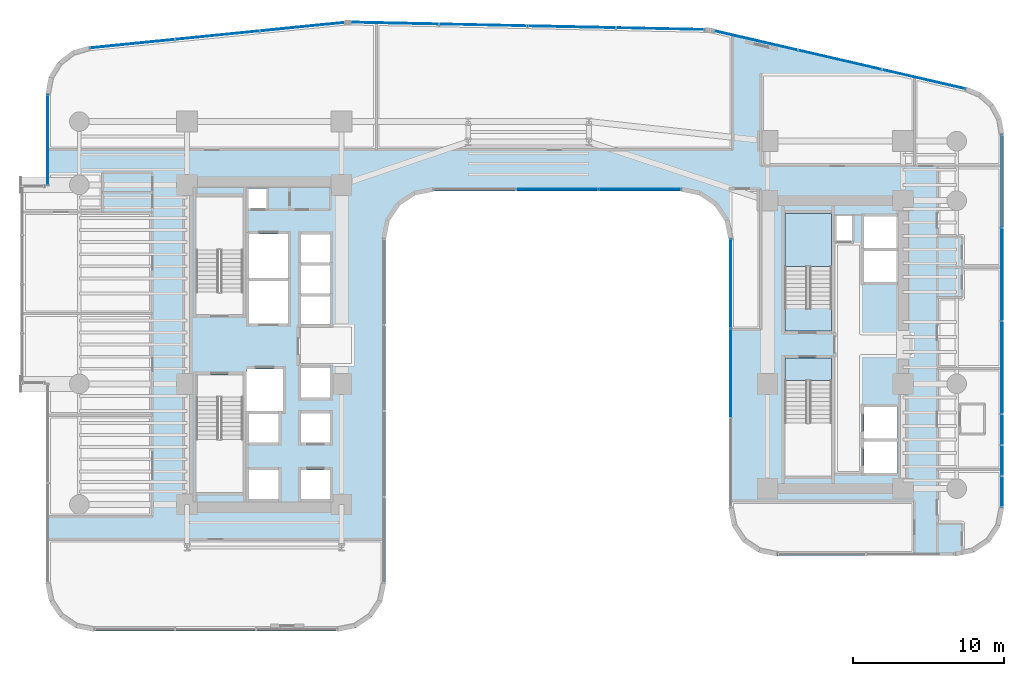
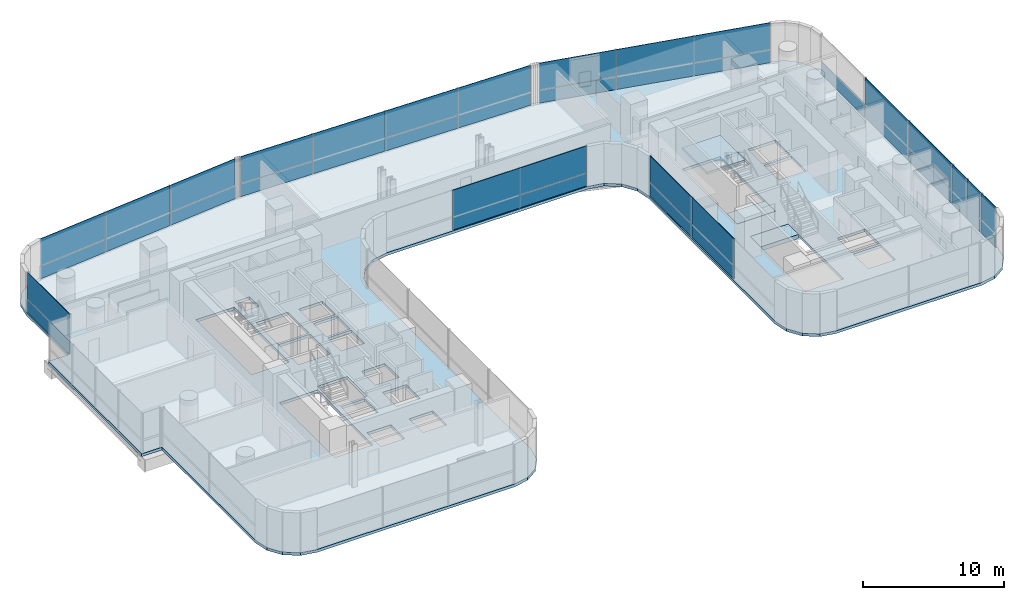
# One storey, part 28 of 39: 31 plates, 4 slabs, 8 elements without a shape of their own.
"""IFC4 building model written with IfcOpenShell, lengths in metres."""

from ifc_helpers import new_model, si_unit, direction, frame, origin, origin_2d, place, context, subcontext, project, spatial, polyline, rectangle, outline, extrude, source, transform, mapped, material, layer, layer_set, type_object, element, aggregate, save


model = new_model("IFC4")

# Units and contexts
model_context = context("Model", 3, precision=1e-05, world=origin(), true_north=direction((0.0, 1.0)))
body_context = subcontext(model_context, "Body", "Model", "MODEL_VIEW")
ifc_project = project(units=[si_unit("LENGTHUNIT", "METRE"), si_unit("AREAUNIT", "SQUARE_METRE"), si_unit("VOLUMEUNIT", "CUBIC_METRE"), si_unit("PLANEANGLEUNIT", "RADIAN"), si_unit("MASSUNIT", "GRAM", prefix="KILO")], contexts=[model_context])

# Site, building, storey
site_placement = place(None, origin())
site = spatial("IfcSite", under=ifc_project, at=site_placement, CompositionType="ELEMENT")
building_placement = place(site_placement, origin())
building = spatial("IfcBuilding", under=site, at=building_placement, Name="Valdorenza Pilgrim Sanctuary Tower", CompositionType="ELEMENT")
storey_placement = place(building_placement, frame((0.0, 0.0, 74.10009765625)))
storey = spatial("IfcBuildingStorey", under=building, at=storey_placement, Name="L18", CompositionType="ELEMENT", Elevation=74.10009765625)

# Slab
ifc_material_1 = material(Name="Concrete C40/50", Category="concrete")
ifc_layer_1 = layer(ifc_material_1, 0.239990234375, Name="Concrete C40/50")
ifc_layer_set_1 = layer_set([ifc_layer_1], Name="Concrete C40/50")
slab_type_1 = type_object("IfcSlabType", Name="SLAB-FLR-220", PredefinedType="FLOOR", material=ifc_layer_set_1)
slab_1_placement = place(storey_placement, frame((0.0, 0.0, -0.239990234375)))
element("IfcSlab", 1, at=slab_1_placement, inside=storey, type_object=slab_type_1, Name="L18 Structural Floor Slab 1", PredefinedType="FLOOR", context=body_context, shape_type="SweptSolid", body=[
    extrude(outline(polyline([(-31.785888671875, 17.754638671875), (-31.172607421875, 18.751220703125), (-30.241943359375, 19.460693359375), (-29.118408203125, 19.7880859375), (-12.192138671875, 21.480712890625), (-11.999755859375, 21.494140625), (-11.9033203125, 21.49658203125), (11.66943359375, 21.0068359375), (11.833984375, 20.999267578125), (11.997802734375, 20.983154296875), (12.160888671875, 20.95849609375), (12.322265625, 20.925537109375), (29.01953125, 17.072509765625), (30.00732421875, 16.660888671875), (30.80419921875, 15.946533203125), (31.321044921875, 15.009521484375), (31.5, 13.954345703125), (31.5, -10.800048828125), (31.25634765625, -12.024658203125), (30.562744140625, -13.062744140625), (29.524658203125, -13.75634765625), (28.300048828125, -14.0), (16.5, -14.0), (15.275390625, -13.75634765625), (14.2373046875, -13.062744140625), (13.543701171875, -12.024658203125), (13.300048828125, -10.800048828125), (13.300048828125, 7.0), (13.056396484375, 8.224609375), (12.36279296875, 9.2626953125), (11.32470703125, 9.956298828125), (10.10009765625, 10.199951171875), (-6.300048828125, 10.199951171875), (-7.524658203125, 9.956298828125), (-8.562744140625, 9.2626953125), (-9.25634765625, 8.224609375), (-9.5, 7.0), (-9.5, -15.800048828125), (-9.74365234375, -17.024658203125), (-10.437255859375, -18.062744140625), (-11.475341796875, -18.75634765625), (-12.699951171875, -19.0), (-28.800048828125, -19.0), (-30.024658203125, -18.75634765625), (-31.062744140625, -18.062744140625), (-31.75634765625, -17.024658203125), (-32.0, -15.800048828125), (-32.0, -2.60009765625), (-33.64990234375, -2.60009765625), (-33.64990234375, 10.60009765625), (-32.0, 10.60009765625), (-32.0, 16.60400390625), (-31.785888671875, 17.754638671875)]), holes=[polyline([(-16.60009765625, -10.25), (-16.60009765625, -8.300048828125), (-18.550048828125, -8.300048828125), (-18.550048828125, -10.25), (-16.60009765625, -10.25)]), polyline([(-22.050048828125, -9.800048828125), (-18.93994140625, -9.800048828125), (-18.93994140625, -3.485107421875), (-18.93994140625, -2.0), (-22.050048828125, -2.0), (-22.050048828125, -3.485107421875), (-22.050048828125, -9.800048828125)]), polyline([(-18.550048828125, -6.5), (-16.60009765625, -6.5), (-16.60009765625, -4.60009765625), (-18.550048828125, -4.60009765625), (-18.550048828125, -6.5)]), polyline([(-13.179931640625, -6.5), (-13.179931640625, -4.550048828125), (-15.10009765625, -4.550048828125), (-15.10009765625, -6.5), (-13.179931640625, -6.5)]), polyline([(-18.719970703125, -4.39990234375), (-16.300048828125, -4.39990234375), (-16.300048828125, -1.60009765625), (-18.719970703125, -1.60009765625), (-18.719970703125, -4.39990234375)]), polyline([(-13.179931640625, -3.5), (-13.179931640625, -1.550048828125), (-15.10009765625, -1.550048828125), (-15.10009765625, -3.5), (-13.179931640625, -3.5)]), polyline([(-22.050048828125, 2.0), (-18.93994140625, 2.0), (-18.93994140625, 3.485107421875), (-18.93994140625, 9.800048828125), (-22.050048828125, 9.800048828125), (-22.050048828125, 3.485107421875), (-22.050048828125, 2.0)]), polyline([(-18.550048828125, 1.39990234375), (-15.949951171875, 1.39990234375), (-15.949951171875, 4.22509765625), (-18.550048828125, 4.22509765625), (-18.550048828125, 1.39990234375)]), polyline([(-15.949951171875, 4.425048828125), (-15.949951171875, 7.35009765625), (-18.550048828125, 7.35009765625), (-18.550048828125, 4.425048828125), (-15.949951171875, 4.425048828125)]), polyline([(-15.10009765625, 5.449951171875), (-13.179931640625, 5.449951171875), (-13.179931640625, 7.300048828125), (-15.10009765625, 7.300048828125), (-15.10009765625, 5.449951171875)]), polyline([(-17.360107421875, 9.030029296875), (-17.360107421875, 10.35009765625), (-18.570068359375, 10.35009765625), (-18.570068359375, 9.030029296875), (-17.360107421875, 9.030029296875)]), polyline([(-15.10009765625, -10.25), (-13.179931640625, -10.25), (-13.179931640625, -8.300048828125), (-15.10009765625, -8.300048828125), (-15.10009765625, -10.25)]), polyline([(22.25, -8.5), (24.47998046875, -8.5), (24.47998046875, -6.425048828125), (22.25, -6.425048828125), (22.25, -8.5)]), polyline([(17.0, -2.385009765625), (17.0, -8.699951171875), (20.110107421875, -8.699951171875), (20.110107421875, -2.385009765625), (20.110107421875, -0.89990234375), (17.0, -0.89990234375), (17.0, -2.385009765625)]), polyline([(22.25, -6.22509765625), (24.47998046875, -6.22509765625), (24.47998046875, -4.14990234375), (22.25, -4.14990234375), (22.25, -6.22509765625)]), polyline([(17.0, 0.89990234375), (20.110107421875, 0.89990234375), (20.110107421875, 2.385009765625), (20.110107421875, 8.699951171875), (17.0, 8.699951171875), (17.0, 2.385009765625), (17.0, 0.89990234375)]), polyline([(-15.10009765625, 1.35009765625), (-13.179931640625, 1.35009765625), (-13.179931640625, 3.199951171875), (-15.10009765625, 3.199951171875), (-15.10009765625, 1.35009765625)]), polyline([(-15.10009765625, 3.39990234375), (-13.179931640625, 3.39990234375), (-13.179931640625, 5.25), (-15.10009765625, 5.25), (-15.10009765625, 3.39990234375)]), polyline([(22.25, 4.14990234375), (24.47998046875, 4.14990234375), (24.47998046875, 6.22509765625), (22.25, 6.22509765625), (22.25, 4.14990234375)]), polyline([(22.25, 6.425048828125), (24.47998046875, 6.425048828125), (24.47998046875, 8.5), (22.25, 8.5), (22.25, 6.425048828125)]), polyline([(20.409912109375, 6.860107421875), (21.489990234375, 6.860107421875), (21.489990234375, 8.52001953125), (20.409912109375, 8.52001953125), (20.409912109375, 6.860107421875)])]), origin(), (0.0, 0.0, 1.0), 0.239990234375),
])

# Stair, slab
stair_type = type_object("IfcStairType", Name="STR-DOG-CORE", PredefinedType="HALF_TURN_STAIR", material=ifc_material_1)
stair_placement = place(storey_placement, origin())
stair = element("IfcStair", 2, at=stair_placement, inside=storey, type_object=stair_type, Name="L18 ST-B1", PredefinedType="HALF_TURN_STAIR")
ifc_layer_2 = layer(ifc_material_1, 0.199951171875, Name="Concrete C40/50")
ifc_layer_set_2 = layer_set([ifc_layer_2], Name="Concrete C40/50")
slab_type_2 = type_object("IfcSlabType", Name="SLAB-STL-200", PredefinedType="LANDING", material=ifc_layer_set_2)
slab_2_placement = place(storey_placement, frame((0.0, 0.0, 1.64990234375)))
slab_2 = element("IfcSlab", 3, at=slab_2_placement, type_object=slab_type_2, Name="ST-B1 landing 1", PredefinedType="LANDING", context=body_context, shape_type="SweptSolid", body=[
    extrude(outline(polyline([(20.110107421875, 5.179931640625), (20.110107421875, 8.699951171875), (17.0, 8.699951171875), (17.0, 5.179931640625), (20.110107421875, 5.179931640625)])), origin(), (0.0, 0.0, 1.0), 0.199951171875),
])
aggregate(stair, [slab_2])

# Slabs
ifc_material_2 = material(Name="Concrete C50/60", Category="concrete")
ifc_layer_3 = layer(ifc_material_2, 0.39990234375, Name="Concrete C50/60")
ifc_layer_set_3 = layer_set([ifc_layer_3], Name="Concrete C50/60")
slab_type_3 = type_object("IfcSlabType", Name="SLAB-TRF-400", PredefinedType="FLOOR", material=ifc_layer_set_3)
slab_3_placement = place(storey_placement, frame((0.0, 0.0, -0.360107421875)))
element("IfcSlab", 4, at=slab_3_placement, inside=storey, type_object=slab_type_3, Name="L18 ST-B1 Structural Stair Landing Bearing Slab", PredefinedType="FLOOR", context=body_context, shape_type="SweptSolid", body=[
    extrude(outline(polyline([(17.0, 0.89990234375), (20.110107421875, 0.89990234375), (20.110107421875, 2.385009765625), (17.0, 2.385009765625), (17.0, 0.89990234375)])), origin(), (0.0, 0.0, 1.0), 0.360107421875),
])
slab_4_placement = place(storey_placement, frame((0.0, 0.0, -0.360107421875)))
element("IfcSlab", 5, at=slab_4_placement, inside=storey, type_object=slab_type_3, Name="L18 ST-B2 Structural Stair Landing Bearing Slab", PredefinedType="FLOOR", context=body_context, shape_type="SweptSolid", body=[
    extrude(outline(polyline([(17.0, -2.385009765625), (20.110107421875, -2.385009765625), (20.110107421875, -0.89990234375), (17.0, -0.89990234375), (17.0, -2.385009765625)])), origin(), (0.0, 0.0, 1.0), 0.360107421875),
])

# Curtain wall, plates
ifc_material_3 = material(Name="Curtain-wall IGU glazing", Category="glass")
curtain_wall_type_1 = type_object("IfcCurtainWallType", Name="CW-SYS-02", PredefinedType="NOTDEFINED", material=ifc_material_3)
curtain_wall_1_placement = place(storey_placement, origin())
curtain_wall_1 = element("IfcCurtainWall", 6, at=curtain_wall_1_placement, inside=storey, type_object=curtain_wall_type_1, Name="L18 Curtain Wall CW-L18-1-6", PredefinedType="NOTDEFINED")
ifc_material_4 = material(Name="Honed travertine limestone", Category="masonry")
ifc_layer_4 = layer(ifc_material_4, 0.050048828125, Name="Honed travertine limestone")
ifc_layer_set_4 = layer_set([ifc_layer_4], Name="Honed travertine limestone")
plate_type_1 = type_object("IfcPlateType", Name="CW-SPN-TRV", PredefinedType="USERDEFINED", material=ifc_layer_set_4)
shared_shape_1 = source(origin(), body_context, "Body", "SweptSolid", [
    extrude(rectangle(XDim=5.646484375, YDim=0.06005859375, at=origin_2d()), origin(), (0.0, 0.0, 1.0), 1.10009765625),
])
plate_1_placement = place(storey_placement, frame((-26.2783203125, 19.961669921875, 0.009765625), z_axis=(0.0, 0.0, 1.0), x_axis=(0.995038220239, 0.099493418189, 0.0)))
plate_1 = element("IfcPlate", 7, at=plate_1_placement, type_object=plate_type_1, Name="CW-L18-1-6 Travertine Spandrel 1", ObjectType="SPANDREL", PredefinedType="USERDEFINED", context=body_context, shape_type="MappedRepresentation", body=[
    mapped(shared_shape_1, transform((0.0, 0.0, 0.0), x_axis=(1.0, 0.0, 0.0), y_axis=(0.0, 1.0, 0.0), z_axis=(0.0, 0.0, 1.0), scale=1.0)),
])
plate_2_placement = place(storey_placement, frame((-15.001220703125, 21.08935546875, 0.009765625), z_axis=(0.0, 0.0, 1.0), x_axis=(0.995038220239, 0.099493418189, 0.0)))
plate_2 = element("IfcPlate", 8, at=plate_2_placement, type_object=plate_type_1, Name="CW-L18-1-6 Travertine Spandrel 3", ObjectType="SPANDREL", PredefinedType="USERDEFINED", context=body_context, shape_type="MappedRepresentation", body=[
    mapped(shared_shape_1, transform((0.0, 0.0, 0.0), x_axis=(1.0, 0.0, 0.0), y_axis=(0.0, 1.0, 0.0), z_axis=(0.0, 0.0, 1.0), scale=1.0)),
])
ifc_material_5 = material(Name="Ceramic-fritted low-E IGU glazing", Category="glass")
ifc_layer_5 = layer(ifc_material_5, 0.035888671875, Name="Ceramic-fritted low-E IGU glazing")
ifc_layer_set_5 = layer_set([ifc_layer_5], Name="Ceramic-fritted low-E IGU glazing")
plate_type_2 = type_object("IfcPlateType", Name="CW-GLZ-IGU", PredefinedType="USERDEFINED", material=ifc_layer_set_5)
shared_shape_2 = source(origin(), body_context, "Body", "SweptSolid", [
    extrude(rectangle(XDim=5.646484375, YDim=0.050048828125, at=origin_2d()), origin(), (0.0, 0.0, 1.0), 2.320068359375),
])
plate_3_placement = place(storey_placement, frame((-26.2783203125, 19.961669921875, 1.1298828125), z_axis=(0.0, 0.0, 1.0), x_axis=(0.995038220239, 0.099493418189, 0.0)))
plate_3 = element("IfcPlate", 9, at=plate_3_placement, type_object=plate_type_2, Name="CW-L18-1-6 Facade Panel 1", ObjectType="GLAZING", PredefinedType="USERDEFINED", context=body_context, shape_type="MappedRepresentation", body=[
    mapped(shared_shape_2, transform((0.0, 0.0, 0.0), x_axis=(1.0, 0.0, 0.0), y_axis=(0.0, 1.0, 0.0), z_axis=(0.0, 0.0, 1.0), scale=1.0)),
])
plate_4_placement = place(storey_placement, frame((-15.001220703125, 21.08935546875, 1.1298828125), z_axis=(0.0, 0.0, 1.0), x_axis=(0.995038220239, 0.099493418189, 0.0)))
plate_4 = element("IfcPlate", 10, at=plate_4_placement, type_object=plate_type_2, Name="CW-L18-1-6 Facade Panel 3", ObjectType="GLAZING", PredefinedType="USERDEFINED", context=body_context, shape_type="MappedRepresentation", body=[
    mapped(shared_shape_2, transform((0.0, 0.0, 0.0), x_axis=(1.0, 0.0, 0.0), y_axis=(0.0, 1.0, 0.0), z_axis=(0.0, 0.0, 1.0), scale=1.0)),
])
shared_shape_3 = source(origin(), body_context, "Body", "SweptSolid", [
    extrude(rectangle(XDim=5.646484375, YDim=0.050048828125, at=origin_2d()), origin(), (0.0, 0.0, 1.0), 3.43994140625),
])
plate_5_placement = place(storey_placement, frame((-20.6396484375, 20.525634765625, 0.010009765625), z_axis=(0.0, 0.0, 1.0), x_axis=(0.995038220239, 0.099493418189, 0.0)))
plate_5 = element("IfcPlate", 11, at=plate_5_placement, type_object=plate_type_2, Name="CW-L18-1-6 Full-Height Facade Panel 2", ObjectType="GLAZING", PredefinedType="USERDEFINED", context=body_context, shape_type="MappedRepresentation", body=[
    mapped(shared_shape_3, transform((0.0, 0.0, 0.0), x_axis=(1.0, 0.0, 0.0), y_axis=(0.0, 1.0, 0.0), z_axis=(0.0, 0.0, 1.0), scale=1.0)),
])
aggregate(curtain_wall_1, [plate_1, plate_3, plate_5, plate_2, plate_4])

curtain_wall_2_placement = place(storey_placement, origin())
curtain_wall_2 = element("IfcCurtainWall", 12, at=curtain_wall_2_placement, inside=storey, type_object=curtain_wall_type_1, Name="L18 Curtain Wall CW-L18-1-11", PredefinedType="NOTDEFINED")
shared_shape_4 = source(origin(), body_context, "Body", "SweptSolid", [
    extrude(rectangle(XDim=5.849853515625, YDim=0.06005859375, at=origin_2d()), origin(), (0.0, 0.0, 1.0), 1.10009765625),
])
plate_6_placement = place(storey_placement, frame((-8.8740234375, 21.324951171875, 0.009765625), z_axis=(0.0, 0.0, 1.0), x_axis=(0.999783234613, -0.020820273474, 0.0)))
plate_6 = element("IfcPlate", 13, at=plate_6_placement, type_object=plate_type_1, Name="CW-L18-1-11 Travertine Spandrel 1", ObjectType="SPANDREL", PredefinedType="USERDEFINED", context=body_context, shape_type="MappedRepresentation", body=[
    mapped(shared_shape_4, transform((0.0, 0.0, 0.0), x_axis=(1.0, 0.0, 0.0), y_axis=(0.0, 1.0, 0.0), z_axis=(0.0, 0.0, 1.0), scale=1.0)),
])
plate_7_placement = place(storey_placement, frame((2.86279296875, 21.080322265625, 0.009765625), z_axis=(0.0, 0.0, 1.0), x_axis=(0.999783234613, -0.020820273474, 0.0)))
plate_7 = element("IfcPlate", 14, at=plate_7_placement, type_object=plate_type_1, Name="CW-L18-1-11 Travertine Spandrel 3", ObjectType="SPANDREL", PredefinedType="USERDEFINED", context=body_context, shape_type="MappedRepresentation", body=[
    mapped(shared_shape_4, transform((0.0, 0.0, 0.0), x_axis=(1.0, 0.0, 0.0), y_axis=(0.0, 1.0, 0.0), z_axis=(0.0, 0.0, 1.0), scale=1.0)),
])
shared_shape_5 = source(origin(), body_context, "Body", "SweptSolid", [
    extrude(rectangle(XDim=5.849853515625, YDim=0.050048828125, at=origin_2d()), origin(), (0.0, 0.0, 1.0), 2.320068359375),
])
plate_8_placement = place(storey_placement, frame((-8.8740234375, 21.324951171875, 1.1298828125), z_axis=(0.0, 0.0, 1.0), x_axis=(0.999783234613, -0.020820273474, 0.0)))
plate_8 = element("IfcPlate", 15, at=plate_8_placement, type_object=plate_type_2, Name="CW-L18-1-11 Facade Panel 1", ObjectType="GLAZING", PredefinedType="USERDEFINED", context=body_context, shape_type="MappedRepresentation", body=[
    mapped(shared_shape_5, transform((0.0, 0.0, 0.0), x_axis=(1.0, 0.0, 0.0), y_axis=(0.0, 1.0, 0.0), z_axis=(0.0, 0.0, 1.0), scale=1.0)),
])
plate_9_placement = place(storey_placement, frame((2.86279296875, 21.080322265625, 1.1298828125), z_axis=(0.0, 0.0, 1.0), x_axis=(0.999783234613, -0.020820273474, 0.0)))
plate_9 = element("IfcPlate", 16, at=plate_9_placement, type_object=plate_type_2, Name="CW-L18-1-11 Facade Panel 3", ObjectType="GLAZING", PredefinedType="USERDEFINED", context=body_context, shape_type="MappedRepresentation", body=[
    mapped(shared_shape_5, transform((0.0, 0.0, 0.0), x_axis=(1.0, 0.0, 0.0), y_axis=(0.0, 1.0, 0.0), z_axis=(0.0, 0.0, 1.0), scale=1.0)),
])
shared_shape_6 = source(origin(), body_context, "Body", "SweptSolid", [
    extrude(rectangle(XDim=5.849853515625, YDim=0.050048828125, at=origin_2d()), origin(), (0.0, 0.0, 1.0), 3.43994140625),
])
plate_10_placement = place(storey_placement, frame((-3.005615234375, 21.20263671875, 0.010009765625), z_axis=(0.0, 0.0, 1.0), x_axis=(0.999783234613, -0.020820273474, 0.0)))
plate_10 = element("IfcPlate", 17, at=plate_10_placement, type_object=plate_type_2, Name="CW-L18-1-11 Full-Height Facade Panel 2", ObjectType="GLAZING", PredefinedType="USERDEFINED", context=body_context, shape_type="MappedRepresentation", body=[
    mapped(shared_shape_6, transform((0.0, 0.0, 0.0), x_axis=(1.0, 0.0, 0.0), y_axis=(0.0, 1.0, 0.0), z_axis=(0.0, 0.0, 1.0), scale=1.0)),
])
plate_11_placement = place(storey_placement, frame((8.7314453125, 20.9580078125, 0.010009765625), z_axis=(0.0, 0.0, 1.0), x_axis=(0.999783234613, -0.020820273474, 0.0)))
plate_11 = element("IfcPlate", 18, at=plate_11_placement, type_object=plate_type_2, Name="CW-L18-1-11 Full-Height Facade Panel 4", ObjectType="GLAZING", PredefinedType="USERDEFINED", context=body_context, shape_type="MappedRepresentation", body=[
    mapped(shared_shape_6, transform((0.0, 0.0, 0.0), x_axis=(1.0, 0.0, 0.0), y_axis=(0.0, 1.0, 0.0), z_axis=(0.0, 0.0, 1.0), scale=1.0)),
])
aggregate(curtain_wall_2, [plate_6, plate_8, plate_10, plate_7, plate_9, plate_11])

curtain_wall_type_2 = type_object("IfcCurtainWallType", Name="CW-SYS-03", PredefinedType="NOTDEFINED", material=ifc_material_3)
curtain_wall_3_placement = place(storey_placement, origin())
curtain_wall_3 = element("IfcCurtainWall", 19, at=curtain_wall_3_placement, inside=storey, type_object=curtain_wall_type_2, Name="L18 Curtain Wall CW-L18-1-16", PredefinedType="NOTDEFINED")
shared_shape_7 = source(origin(), body_context, "Body", "SweptSolid", [
    extrude(rectangle(XDim=5.6884765625, YDim=0.06005859375, at=origin_2d()), origin(), (0.0, 0.0, 1.0), 1.10009765625),
])
plate_12_placement = place(storey_placement, frame((15.080078125, 20.17626953125, 0.009765625), z_axis=(0.0, 0.0, 1.0), x_axis=(0.974389691758, -0.224866023659, 0.0)))
plate_12 = element("IfcPlate", 20, at=plate_12_placement, type_object=plate_type_1, Name="CW-L18-1-16 Travertine Spandrel 1", ObjectType="SPANDREL", PredefinedType="USERDEFINED", context=body_context, shape_type="MappedRepresentation", body=[
    mapped(shared_shape_7, transform((0.0, 0.0, 0.0), x_axis=(1.0, 0.0, 0.0), y_axis=(0.0, 1.0, 0.0), z_axis=(0.0, 0.0, 1.0), scale=1.0)),
])
plate_13_placement = place(storey_placement, frame((26.20458984375, 17.609130859375, 0.009765625), z_axis=(0.0, 0.0, 1.0), x_axis=(0.974389691758, -0.224866023659, 0.0)))
plate_13 = element("IfcPlate", 21, at=plate_13_placement, type_object=plate_type_1, Name="CW-L18-1-16 Travertine Spandrel 3", ObjectType="SPANDREL", PredefinedType="USERDEFINED", context=body_context, shape_type="MappedRepresentation", body=[
    mapped(shared_shape_7, transform((0.0, 0.0, 0.0), x_axis=(1.0, 0.0, 0.0), y_axis=(0.0, 1.0, 0.0), z_axis=(0.0, 0.0, 1.0), scale=1.0)),
])
shared_shape_8 = source(origin(), body_context, "Body", "SweptSolid", [
    extrude(rectangle(XDim=5.6884765625, YDim=0.050048828125, at=origin_2d()), origin(), (0.0, 0.0, 1.0), 2.320068359375),
])
plate_14_placement = place(storey_placement, frame((15.080078125, 20.17626953125, 1.1298828125), z_axis=(0.0, 0.0, 1.0), x_axis=(0.974389691758, -0.224866023659, 0.0)))
plate_14 = element("IfcPlate", 22, at=plate_14_placement, type_object=plate_type_2, Name="CW-L18-1-16 Facade Panel 1", ObjectType="GLAZING", PredefinedType="USERDEFINED", context=body_context, shape_type="MappedRepresentation", body=[
    mapped(shared_shape_8, transform((0.0, 0.0, 0.0), x_axis=(1.0, 0.0, 0.0), y_axis=(0.0, 1.0, 0.0), z_axis=(0.0, 0.0, 1.0), scale=1.0)),
])
plate_15_placement = place(storey_placement, frame((26.20458984375, 17.609130859375, 1.1298828125), z_axis=(0.0, 0.0, 1.0), x_axis=(0.974389691758, -0.224866023659, 0.0)))
plate_15 = element("IfcPlate", 23, at=plate_15_placement, type_object=plate_type_2, Name="CW-L18-1-16 Facade Panel 3", ObjectType="GLAZING", PredefinedType="USERDEFINED", context=body_context, shape_type="MappedRepresentation", body=[
    mapped(shared_shape_8, transform((0.0, 0.0, 0.0), x_axis=(1.0, 0.0, 0.0), y_axis=(0.0, 1.0, 0.0), z_axis=(0.0, 0.0, 1.0), scale=1.0)),
])
shared_shape_9 = source(origin(), body_context, "Body", "SweptSolid", [
    extrude(rectangle(XDim=5.6884765625, YDim=0.050048828125, at=origin_2d()), origin(), (0.0, 0.0, 1.0), 3.43994140625),
])
plate_16_placement = place(storey_placement, frame((20.642333984375, 18.892578125, 0.010009765625), z_axis=(0.0, 0.0, 1.0), x_axis=(0.974389691758, -0.224866023659, 0.0)))
plate_16 = element("IfcPlate", 24, at=plate_16_placement, type_object=plate_type_2, Name="CW-L18-1-16 Full-Height Facade Panel 2", ObjectType="GLAZING", PredefinedType="USERDEFINED", context=body_context, shape_type="MappedRepresentation", body=[
    mapped(shared_shape_9, transform((0.0, 0.0, 0.0), x_axis=(1.0, 0.0, 0.0), y_axis=(0.0, 1.0, 0.0), z_axis=(0.0, 0.0, 1.0), scale=1.0)),
])
aggregate(curtain_wall_3, [plate_12, plate_14, plate_16, plate_13, plate_15])

curtain_wall_4_placement = place(storey_placement, origin())
curtain_wall_4 = element("IfcCurtainWall", 25, at=curtain_wall_4_placement, inside=storey, type_object=curtain_wall_type_2, Name="L18 Curtain Wall CW-L18-1-21", PredefinedType="NOTDEFINED")
shared_shape_10 = source(origin(), body_context, "Body", "SweptSolid", [
    extrude(rectangle(XDim=6.16357421875, YDim=0.06005859375, at=origin_2d()), origin(), (0.0, 0.0, 1.0), 1.10009765625),
])
plate_17_placement = place(storey_placement, frame((31.389892578125, 10.853271484375, 0.009765625), z_axis=(0.0, 0.0, 1.0), x_axis=(0.0, -1.0, 0.0)))
plate_17 = element("IfcPlate", 26, at=plate_17_placement, type_object=plate_type_1, Name="CW-L18-1-21 Travertine Spandrel 1", ObjectType="SPANDREL", PredefinedType="USERDEFINED", context=body_context, shape_type="MappedRepresentation", body=[
    mapped(shared_shape_10, transform((0.0, 0.0, 0.0), x_axis=(1.0, 0.0, 0.0), y_axis=(0.0, 1.0, 0.0), z_axis=(0.0, 0.0, 1.0), scale=1.0)),
])
plate_18_placement = place(storey_placement, frame((31.389892578125, -1.513916015625, 0.009765625), z_axis=(0.0, 0.0, 1.0), x_axis=(0.0, -1.0, 0.0)))
plate_18 = element("IfcPlate", 27, at=plate_18_placement, type_object=plate_type_1, Name="CW-L18-1-21 Travertine Spandrel 3", ObjectType="SPANDREL", PredefinedType="USERDEFINED", context=body_context, shape_type="MappedRepresentation", body=[
    mapped(shared_shape_10, transform((0.0, 0.0, 0.0), x_axis=(1.0, 0.0, 0.0), y_axis=(0.0, 1.0, 0.0), z_axis=(0.0, 0.0, 1.0), scale=1.0)),
])
shared_shape_11 = source(origin(), body_context, "Body", "SweptSolid", [
    extrude(rectangle(XDim=6.16357421875, YDim=0.050048828125, at=origin_2d()), origin(), (0.0, 0.0, 1.0), 2.320068359375),
])
plate_19_placement = place(storey_placement, frame((31.389892578125, -1.513916015625, 1.1298828125), z_axis=(0.0, 0.0, 1.0), x_axis=(0.0, -1.0, 0.0)))
plate_19 = element("IfcPlate", 28, at=plate_19_placement, type_object=plate_type_2, Name="CW-L18-1-21 Facade Panel 3", ObjectType="GLAZING", PredefinedType="USERDEFINED", context=body_context, shape_type="MappedRepresentation", body=[
    mapped(shared_shape_11, transform((0.0, 0.0, 0.0), x_axis=(1.0, 0.0, 0.0), y_axis=(0.0, 1.0, 0.0), z_axis=(0.0, 0.0, 1.0), scale=1.0)),
])
shared_shape_12 = source(origin(), body_context, "Body", "SweptSolid", [
    extrude(rectangle(XDim=6.16357421875, YDim=0.050048828125, at=origin_2d()), origin(), (0.0, 0.0, 1.0), 3.43994140625),
])
plate_20_placement = place(storey_placement, frame((31.389892578125, 4.669677734375, 0.010009765625), z_axis=(0.0, 0.0, 1.0), x_axis=(0.0, -1.0, 0.0)))
plate_20 = element("IfcPlate", 29, at=plate_20_placement, type_object=plate_type_2, Name="CW-L18-1-21 Full-Height Facade Panel 2", ObjectType="GLAZING", PredefinedType="USERDEFINED", context=body_context, shape_type="MappedRepresentation", body=[
    mapped(shared_shape_12, transform((0.0, 0.0, 0.0), x_axis=(1.0, 0.0, 0.0), y_axis=(0.0, 1.0, 0.0), z_axis=(0.0, 0.0, 1.0), scale=1.0)),
])

curtain_wall_5_placement = place(storey_placement, origin())
curtain_wall_5 = element("IfcCurtainWall", 30, at=curtain_wall_5_placement, inside=storey, type_object=curtain_wall_type_2, Name="L18 Curtain Wall CW-L18-1-31", PredefinedType="NOTDEFINED")
shared_shape_13 = source(origin(), body_context, "Body", "SweptSolid", [
    extrude(rectangle(XDim=5.913330078125, YDim=0.06005859375, at=origin_2d()), origin(), (0.0, 0.0, 1.0), 1.10009765625),
])
plate_21_placement = place(storey_placement, frame((13.409912109375, 4.044189453125, 0.009765625), z_axis=(0.0, 0.0, 1.0), x_axis=(0.0, 1.0, 0.0)))
plate_21 = element("IfcPlate", 31, at=plate_21_placement, type_object=plate_type_1, Name="CW-L18-1-31 Travertine Spandrel 3", ObjectType="SPANDREL", PredefinedType="USERDEFINED", context=body_context, shape_type="MappedRepresentation", body=[
    mapped(shared_shape_13, transform((0.0, 0.0, 0.0), x_axis=(1.0, 0.0, 0.0), y_axis=(0.0, 1.0, 0.0), z_axis=(0.0, 0.0, 1.0), scale=1.0)),
])
shared_shape_14 = source(origin(), body_context, "Body", "SweptSolid", [
    extrude(rectangle(XDim=5.913330078125, YDim=0.050048828125, at=origin_2d()), origin(), (0.0, 0.0, 1.0), 2.320068359375),
])
plate_22_placement = place(storey_placement, frame((13.409912109375, 4.044189453125, 1.1298828125), z_axis=(0.0, 0.0, 1.0), x_axis=(0.0, 1.0, 0.0)))
plate_22 = element("IfcPlate", 32, at=plate_22_placement, type_object=plate_type_2, Name="CW-L18-1-31 Facade Panel 3", ObjectType="GLAZING", PredefinedType="USERDEFINED", context=body_context, shape_type="MappedRepresentation", body=[
    mapped(shared_shape_14, transform((0.0, 0.0, 0.0), x_axis=(1.0, 0.0, 0.0), y_axis=(0.0, 1.0, 0.0), z_axis=(0.0, 0.0, 1.0), scale=1.0)),
])
shared_shape_15 = source(origin(), body_context, "Body", "SweptSolid", [
    extrude(rectangle(XDim=5.913330078125, YDim=0.050048828125, at=origin_2d()), origin(), (0.0, 0.0, 1.0), 3.43994140625),
])
plate_23_placement = place(storey_placement, frame((13.409912109375, -1.88916015625, 0.010009765625), z_axis=(0.0, 0.0, 1.0), x_axis=(0.0, 1.0, 0.0)))
plate_23 = element("IfcPlate", 33, at=plate_23_placement, type_object=plate_type_2, Name="CW-L18-1-31 Full-Height Facade Panel 2", ObjectType="GLAZING", PredefinedType="USERDEFINED", context=body_context, shape_type="MappedRepresentation", body=[
    mapped(shared_shape_15, transform((0.0, 0.0, 0.0), x_axis=(1.0, 0.0, 0.0), y_axis=(0.0, 1.0, 0.0), z_axis=(0.0, 0.0, 1.0), scale=1.0)),
])
aggregate(curtain_wall_5, [plate_23, plate_21, plate_22])

curtain_wall_6_placement = place(storey_placement, origin())
curtain_wall_6 = element("IfcCurtainWall", 34, at=curtain_wall_6_placement, inside=storey, type_object=curtain_wall_type_1, Name="L18 Curtain Wall CW-L18-1-36", PredefinedType="NOTDEFINED")
shared_shape_16 = source(origin(), body_context, "Body", "SweptSolid", [
    extrude(rectangle(XDim=5.453857421875, YDim=0.06005859375, at=origin_2d()), origin(), (0.0, 0.0, 1.0), 1.10009765625),
])
plate_24_placement = place(storey_placement, frame((7.373779296875, 10.31005859375, 0.009765625), z_axis=(0.0, 0.0, 1.0), x_axis=(-1.0, 0.0, 0.0)))
plate_24 = element("IfcPlate", 35, at=plate_24_placement, type_object=plate_type_1, Name="CW-L18-1-36 Travertine Spandrel 1", ObjectType="SPANDREL", PredefinedType="USERDEFINED", context=body_context, shape_type="MappedRepresentation", body=[
    mapped(shared_shape_16, transform((0.0, 0.0, 0.0), x_axis=(1.0, 0.0, 0.0), y_axis=(0.0, 1.0, 0.0), z_axis=(0.0, 0.0, 1.0), scale=1.0)),
])
shared_shape_17 = source(origin(), body_context, "Body", "SweptSolid", [
    extrude(rectangle(XDim=5.453857421875, YDim=0.050048828125, at=origin_2d()), origin(), (0.0, 0.0, 1.0), 2.320068359375),
])
plate_25_placement = place(storey_placement, frame((7.373779296875, 10.31005859375, 1.1298828125), z_axis=(0.0, 0.0, 1.0), x_axis=(-1.0, 0.0, 0.0)))
plate_25 = element("IfcPlate", 36, at=plate_25_placement, type_object=plate_type_2, Name="CW-L18-1-36 Facade Panel 1", ObjectType="GLAZING", PredefinedType="USERDEFINED", context=body_context, shape_type="MappedRepresentation", body=[
    mapped(shared_shape_17, transform((0.0, 0.0, 0.0), x_axis=(1.0, 0.0, 0.0), y_axis=(0.0, 1.0, 0.0), z_axis=(0.0, 0.0, 1.0), scale=1.0)),
])
shared_shape_18 = source(origin(), body_context, "Body", "SweptSolid", [
    extrude(rectangle(XDim=5.453857421875, YDim=0.050048828125, at=origin_2d()), origin(), (0.0, 0.0, 1.0), 3.43994140625),
])
plate_26_placement = place(storey_placement, frame((1.89990234375, 10.31005859375, 0.010009765625), z_axis=(0.0, 0.0, 1.0), x_axis=(-1.0, 0.0, 0.0)))
plate_26 = element("IfcPlate", 37, at=plate_26_placement, type_object=plate_type_2, Name="CW-L18-1-36 Full-Height Facade Panel 2", ObjectType="GLAZING", PredefinedType="USERDEFINED", context=body_context, shape_type="MappedRepresentation", body=[
    mapped(shared_shape_18, transform((0.0, 0.0, 0.0), x_axis=(1.0, 0.0, 0.0), y_axis=(0.0, 1.0, 0.0), z_axis=(0.0, 0.0, 1.0), scale=1.0)),
])
aggregate(curtain_wall_6, [plate_24, plate_25, plate_26])

curtain_wall_7_placement = place(storey_placement, origin())
curtain_wall_7 = element("IfcCurtainWall", 38, at=curtain_wall_7_placement, inside=storey, type_object=curtain_wall_type_1, Name="L18 Curtain Wall CW-L18-1-1S2", PredefinedType="NOTDEFINED")
shared_shape_19 = source(origin(), body_context, "Body", "SweptSolid", [
    extrude(rectangle(XDim=5.973876953125, YDim=0.06005859375, at=origin_2d()), origin(), (0.0, 0.0, 1.0), 1.10009765625),
])
plate_27_placement = place(storey_placement, frame((-31.889892578125, 13.596923828125, 0.009765625), z_axis=(0.0, 0.0, 1.0), x_axis=(0.0, 1.0, 0.0)))
plate_27 = element("IfcPlate", 39, at=plate_27_placement, type_object=plate_type_1, Name="CW-L18-1-1S2 Travertine Spandrel 1", ObjectType="SPANDREL", PredefinedType="USERDEFINED", context=body_context, shape_type="MappedRepresentation", body=[
    mapped(shared_shape_19, transform((0.0, 0.0, 0.0), x_axis=(1.0, 0.0, 0.0), y_axis=(0.0, 1.0, 0.0), z_axis=(0.0, 0.0, 1.0), scale=1.0)),
])
shared_shape_20 = source(origin(), body_context, "Body", "SweptSolid", [
    extrude(rectangle(XDim=5.973876953125, YDim=0.050048828125, at=origin_2d()), origin(), (0.0, 0.0, 1.0), 2.320068359375),
])
plate_28_placement = place(storey_placement, frame((-31.889892578125, 13.596923828125, 1.1298828125), z_axis=(0.0, 0.0, 1.0), x_axis=(0.0, 1.0, 0.0)))
plate_28 = element("IfcPlate", 40, at=plate_28_placement, type_object=plate_type_2, Name="CW-L18-1-1S2 Facade Panel 1", ObjectType="GLAZING", PredefinedType="USERDEFINED", context=body_context, shape_type="MappedRepresentation", body=[
    mapped(shared_shape_20, transform((0.0, 0.0, 0.0), x_axis=(1.0, 0.0, 0.0), y_axis=(0.0, 1.0, 0.0), z_axis=(0.0, 0.0, 1.0), scale=1.0)),
])
aggregate(curtain_wall_7, [plate_27, plate_28])

# Plate
shared_shape_21 = source(origin(), body_context, "Body", "SweptSolid", [
    extrude(rectangle(XDim=2.034423828125, YDim=0.050048828125, at=origin_2d()), origin(), (0.0, 0.0, 1.0), 3.43994140625),
])
plate_29_placement = place(storey_placement, frame((31.389892578125, -5.642822265625, 0.010009765625), z_axis=(0.0, 0.0, 1.0), x_axis=(0.0, -1.0, 0.0)))
plate_29 = element("IfcPlate", 41, at=plate_29_placement, type_object=plate_type_2, Name="CW-L18-1-21 Full-Height Facade Panel 4 Sub 1", ObjectType="GLAZING", PredefinedType="USERDEFINED", context=body_context, shape_type="MappedRepresentation", body=[
    mapped(shared_shape_21, transform((0.0, 0.0, 0.0), x_axis=(1.0, 0.0, 0.0), y_axis=(0.0, 1.0, 0.0), z_axis=(0.0, 0.0, 1.0), scale=1.0)),
])

plate_30_placement = place(storey_placement, frame((31.389892578125, -7.697509765625, 0.010009765625), z_axis=(0.0, 0.0, 1.0), x_axis=(0.0, -1.0, 0.0)))
plate_30 = element("IfcPlate", 42, at=plate_30_placement, type_object=plate_type_2, Name="CW-L18-1-21 Full-Height Facade Panel 4 Sub 2", ObjectType="GLAZING", PredefinedType="USERDEFINED", context=body_context, shape_type="MappedRepresentation", body=[
    mapped(shared_shape_21, transform((0.0, 0.0, 0.0), x_axis=(1.0, 0.0, 0.0), y_axis=(0.0, 1.0, 0.0), z_axis=(0.0, 0.0, 1.0), scale=1.0)),
])

plate_31_placement = place(storey_placement, frame((31.389892578125, -9.751953125, 0.010009765625), z_axis=(0.0, 0.0, 1.0), x_axis=(0.0, -1.0, 0.0)))
plate_31 = element("IfcPlate", 43, at=plate_31_placement, type_object=plate_type_2, Name="CW-L18-1-21 Full-Height Facade Panel 4 Sub 3", ObjectType="GLAZING", PredefinedType="USERDEFINED", context=body_context, shape_type="MappedRepresentation", body=[
    mapped(shared_shape_21, transform((0.0, 0.0, 0.0), x_axis=(1.0, 0.0, 0.0), y_axis=(0.0, 1.0, 0.0), z_axis=(0.0, 0.0, 1.0), scale=1.0)),
])

aggregate(curtain_wall_4, [plate_17, plate_20, plate_18, plate_19, plate_29, plate_30, plate_31])

save(model, "model.ifc")
